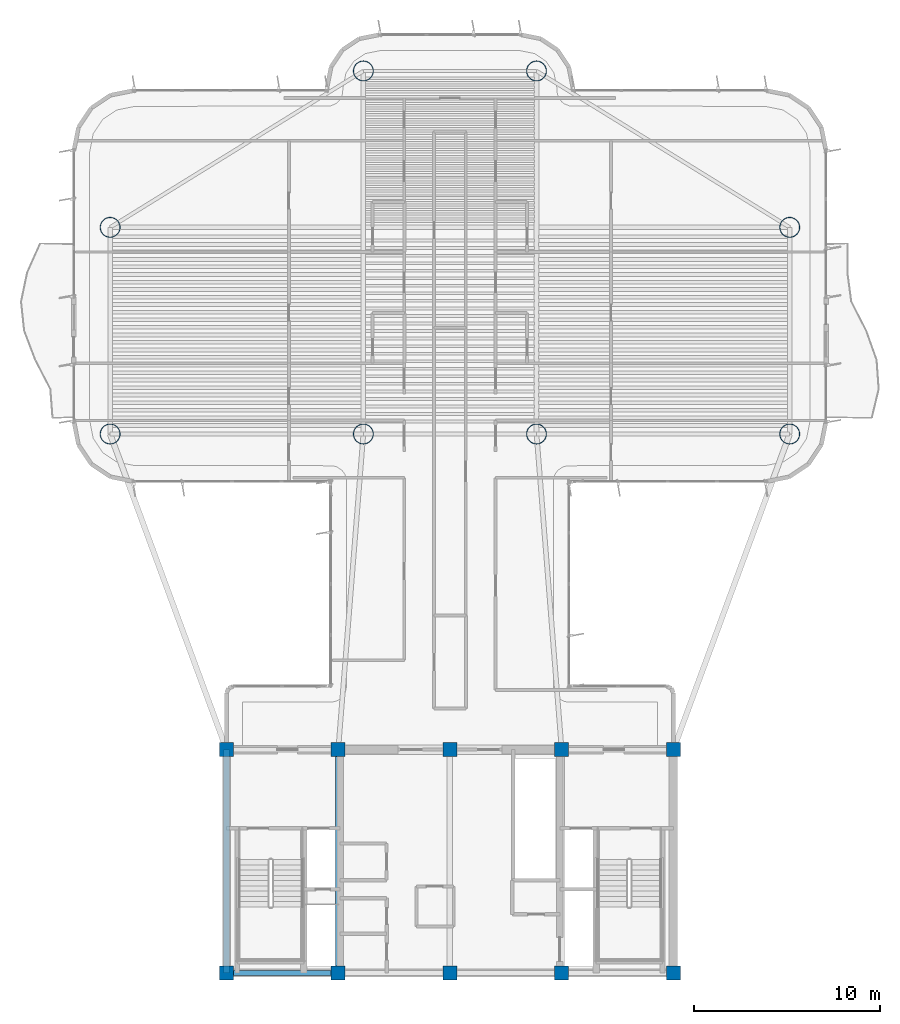
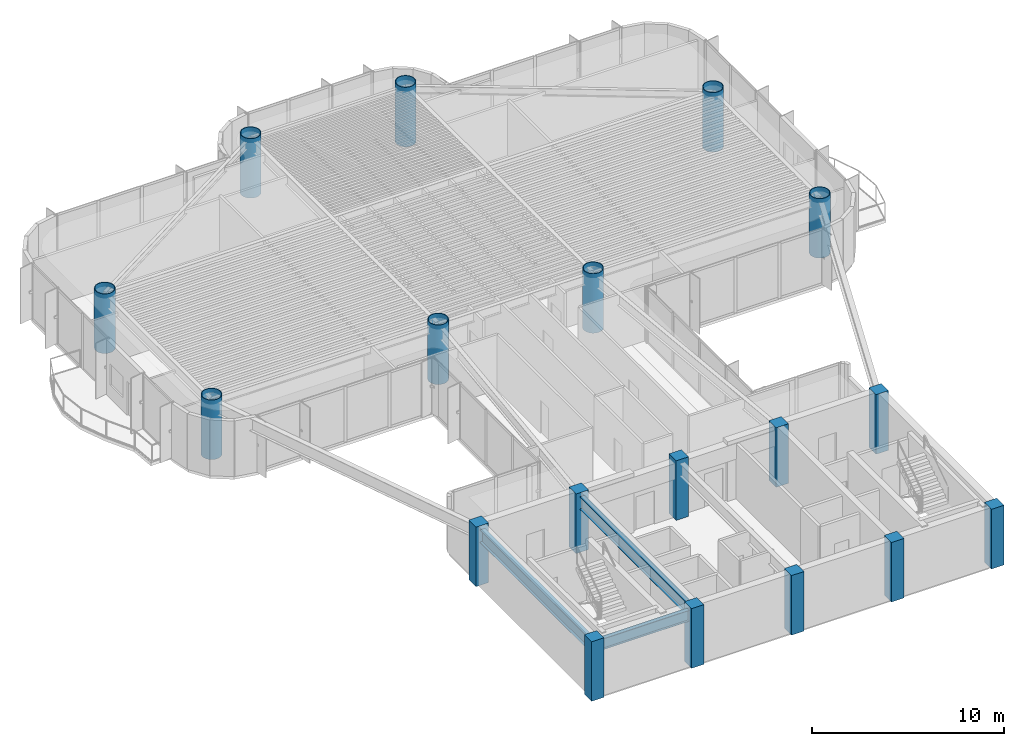
# One storey, part 1 of 15: 18 columns, 3 beams.
"""IFC4 building model written with IfcOpenShell, lengths in metres."""

from ifc_helpers import new_model, si_unit, direction, frame, origin, origin_2d, place, context, subcontext, project, spatial, rectangle, hollow_circle, i_section, extrude, source, transform, mapped, material, material_profile, profile_set, type_object, element, save


model = new_model("IFC4")

# Units and contexts
model_context = context("Model", 3, precision=1e-05, world=origin(), true_north=direction((0.0, 1.0)))
body_context = subcontext(model_context, "Body", "Model", "MODEL_VIEW")
ifc_project = project(units=[si_unit("LENGTHUNIT", "METRE"), si_unit("AREAUNIT", "SQUARE_METRE"), si_unit("VOLUMEUNIT", "CUBIC_METRE"), si_unit("PLANEANGLEUNIT", "RADIAN"), si_unit("MASSUNIT", "GRAM", prefix="KILO")], contexts=[model_context])

# Site, building, storey
site_placement = place(None, origin())
site = spatial("IfcSite", under=ifc_project, at=site_placement, CompositionType="ELEMENT")
building_placement = place(site_placement, origin())
building = spatial("IfcBuilding", under=site, at=building_placement, Name="Brelvock Crest Care Tower", CompositionType="ELEMENT")
storey_placement = place(building_placement, frame((0.0, 0.0, 171.5400390625)))
storey = spatial("IfcBuildingStorey", under=building, at=storey_placement, Name="L43", CompositionType="ELEMENT", Elevation=171.5400390625)

# Columns
ifc_material_1 = material(Name="Concrete S65 (65 MPa)", Category="concrete")
ifc_material_profile_1 = material_profile(ifc_material_1, rectangle(XDim=0.75, YDim=0.75, at=origin_2d()), Name="RC750x750")
ifc_profile_set_1 = profile_set([ifc_material_profile_1], Name="Concrete S65 (65 MPa)")
column_type_1 = type_object("IfcColumnType", Name="COL-RC3", PredefinedType="COLUMN", material=ifc_profile_set_1)
shared_shape_1 = source(origin(), body_context, "Body", "SweptSolid", [
    extrude(rectangle(XDim=0.75, YDim=0.75, at=origin_2d()), origin(), (0.0, 0.0, 1.0), 3.780029296875),
])
for number, where, z_axis, x_axis, name in (
    (1, (24.0, 6.0, 0.0), (0.0, 0.0, 1.0), (1.0, 0.0, 0.0), "L43 Core Column CC-01"),
    (2, (30.0, 6.0, 0.0), (0.0, 0.0, 1.0), (1.0, 0.0, 0.0), "L43 Core Column CC-02"),
    (3, (36.0, 6.0, 0.0), (0.0, 0.0, 1.0), (1.0, 0.0, 0.0), "L43 Core Column CC-03"),
    (4, (42.0, 6.0, 0.0), (0.0, 0.0, 1.0), (1.0, 0.0, 0.0), "L43 Core Column CC-04"),
    (5, (48.0, 6.0, 0.0), (0.0, 0.0, 1.0), (1.0, 0.0, 0.0), "L43 Core Column CC-05"),
    (6, (24.0, 18.0, 0.0), (0.0, 0.0, 1.0), (1.0, 0.0, 0.0), "L43 Core Column CC-06"),
    (7, (30.0, 18.0, 0.0), (0.0, 0.0, 1.0), (1.0, 0.0, 0.0), "L43 Core Column CC-07"),
    (8, (36.0, 18.0, 0.0), (0.0, 0.0, 1.0), (1.0, 0.0, 0.0), "L43 Core Column CC-08"),
    (9, (42.0, 18.0, 0.0), (0.0, 0.0, 1.0), (1.0, 0.0, 0.0), "L43 Core Column CC-09"),
    (10, (48.0, 18.0, 0.0), (0.0, 0.0, 1.0), (1.0, 0.0, 0.0), "L43 Core Column CC-10"),
):
    element("IfcColumn", number, at=place(storey_placement, frame(where, z_axis=z_axis, x_axis=x_axis)), inside=storey, type_object=column_type_1, Name=name, PredefinedType="COLUMN", context=body_context, shape_type="MappedRepresentation", body=[
        mapped(shared_shape_1, transform((0.0, 0.0, 0.0), x_axis=(1.0, 0.0, 0.0), y_axis=(0.0, 1.0, 0.0), z_axis=(0.0, 0.0, 1.0), scale=1.0)),
    ])
ifc_material_2 = material(Name="Steel Grade 350", Category="steel")
ifc_material_profile_2 = material_profile(ifc_material_2, hollow_circle(Radius=0.550048828125, WallThickness=0.0400390625, at=origin_2d()), Name="CFT1100x40")
ifc_profile_set_2 = profile_set([ifc_material_profile_2], Name="Steel Grade 350")
column_type_2 = type_object("IfcColumnType", Name="COL-MC3", PredefinedType="COLUMN", material=ifc_profile_set_2)
shared_shape_2 = source(origin(), body_context, "Body", "SweptSolid", [
    extrude(hollow_circle(Radius=0.550048828125, WallThickness=0.0400390625, at=origin_2d()), origin(), (0.0, 0.0, 1.0), 3.780029296875),
])
for number, where, z_axis, x_axis, name in (
    (11, (17.75, 34.949951171875, 0.0), (0.0, 0.0, 1.0), (1.0, 0.0, 0.0), "L43 Tower Column M1"),
    (12, (17.75, 46.050048828125, 0.0), (0.0, 0.0, 1.0), (1.0, 0.0, 0.0), "L43 Tower Column M2"),
    (13, (54.25, 34.949951171875, 0.0), (0.0, 0.0, 1.0), (1.0, 0.0, 0.0), "L43 Tower Column M3"),
    (14, (54.25, 46.050048828125, 0.0), (0.0, 0.0, 1.0), (1.0, 0.0, 0.0), "L43 Tower Column M4"),
    (15, (31.35009765625, 34.949951171875, 0.0), (0.0, 0.0, 1.0), (1.0, 0.0, 0.0), "L43 Tower Column M5"),
    (16, (40.64990234375, 34.949951171875, 0.0), (0.0, 0.0, 1.0), (1.0, 0.0, 0.0), "L43 Tower Column M6"),
    (17, (31.35009765625, 54.449951171875, 0.0), (0.0, 0.0, 1.0), (1.0, 0.0, 0.0), "L43 Tower Column M7"),
    (18, (40.64990234375, 54.449951171875, 0.0), (0.0, 0.0, 1.0), (1.0, 0.0, 0.0), "L43 Tower Column M8"),
):
    element("IfcColumn", number, at=place(storey_placement, frame(where, z_axis=z_axis, x_axis=x_axis)), inside=storey, type_object=column_type_2, Name=name, PredefinedType="COLUMN", context=body_context, shape_type="MappedRepresentation", body=[
        mapped(shared_shape_2, transform((0.0, 0.0, 0.0), x_axis=(1.0, 0.0, 0.0), y_axis=(0.0, 1.0, 0.0), z_axis=(0.0, 0.0, 1.0), scale=1.0)),
    ])

# Beams
ifc_material_profile_3 = material_profile(ifc_material_2, i_section(OverallWidth=0.25, OverallDepth=0.699951171875, WebThickness=0.011962890625, FlangeThickness=0.02001953125, at=origin_2d()), Name="700WB150")
ifc_profile_set_3 = profile_set([ifc_material_profile_3], Name="Steel Grade 350")
beam_type_1 = type_object("IfcBeamType", Name="BM-G4", PredefinedType="BEAM", material=ifc_profile_set_3)
shared_shape_3 = source(origin(), body_context, "Body", "SweptSolid", [
    extrude(i_section(OverallWidth=0.25, OverallDepth=0.699951171875, WebThickness=0.011962890625, FlangeThickness=0.02001953125, at=origin_2d()), origin(), (0.0, 0.0, 1.0), 6.0),
])
beam_placement = place(storey_placement, frame((24.0, 6.0, 3.179931640625), z_axis=(1.0, 0.0, 0.0), x_axis=(0.0, 1.0, 0.0)))
element("IfcBeam", 19, at=beam_placement, inside=storey, type_object=beam_type_1, Name="BM-CORES-L43-1", PredefinedType="BEAM", context=body_context, shape_type="MappedRepresentation", body=[
    mapped(shared_shape_3, transform((0.0, 0.0, 0.0), x_axis=(1.0, 0.0, 0.0), y_axis=(0.0, 1.0, 0.0), z_axis=(0.0, 0.0, 1.0), scale=1.0)),
])
ifc_material_profile_4 = material_profile(ifc_material_2, i_section(OverallWidth=0.300048828125, OverallDepth=0.800048828125, WebThickness=0.013916015625, FlangeThickness=0.02197265625, at=origin_2d()), Name="800WB192")
ifc_profile_set_4 = profile_set([ifc_material_profile_4], Name="Steel Grade 350")
beam_type_2 = type_object("IfcBeamType", Name="BM-G5", PredefinedType="BEAM", material=ifc_profile_set_4)
shared_shape_4 = source(origin(), body_context, "Body", "SweptSolid", [
    extrude(i_section(OverallWidth=0.300048828125, OverallDepth=0.800048828125, WebThickness=0.013916015625, FlangeThickness=0.02197265625, at=origin_2d()), origin(), (0.0, 0.0, 1.0), 12.0),
])
for number, where, z_axis, x_axis, name in (
    (20, (24.0, 6.0, 3.1298828125), (0.0, 1.0, 0.0), (-1.0, 0.0, 0.0), "BM-COREX-L43-1"),
    (21, (30.0, 6.0, 3.1298828125), (0.0, 1.0, 0.0), (-1.0, 0.0, 0.0), "BM-COREX-L43-2"),
):
    element("IfcBeam", number, at=place(storey_placement, frame(where, z_axis=z_axis, x_axis=x_axis)), inside=storey, type_object=beam_type_2, Name=name, PredefinedType="BEAM", context=body_context, shape_type="MappedRepresentation", body=[
        mapped(shared_shape_4, transform((0.0, 0.0, 0.0), x_axis=(1.0, 0.0, 0.0), y_axis=(0.0, 1.0, 0.0), z_axis=(0.0, 0.0, 1.0), scale=1.0)),
    ])

save(model, "model.ifc")
